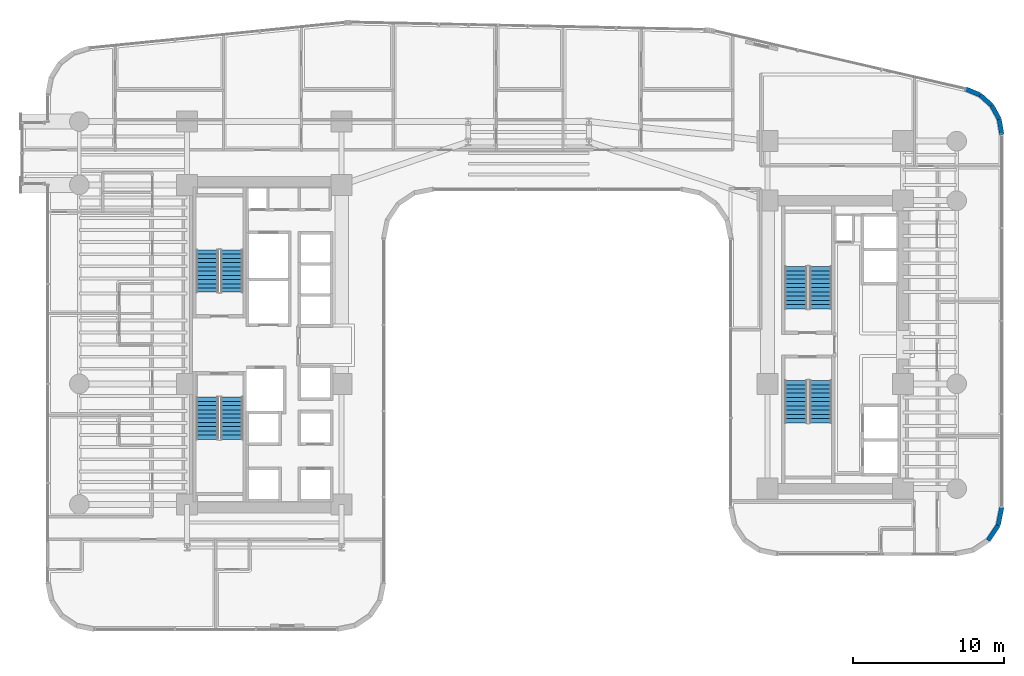
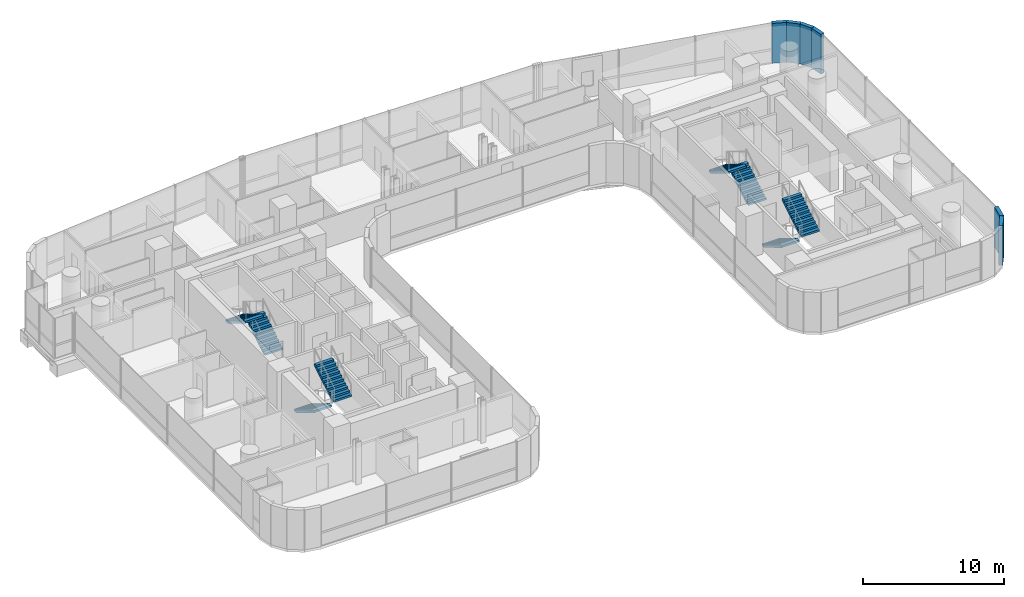
# One storey, part 36 of 42: 8 stair flights, 6 walls, 4 elements without a shape of their own.
"""IFC4 building model written with IfcOpenShell, lengths in metres."""

from ifc_helpers import new_model, si_unit, direction, frame, frame_2d, origin, place, context, subcontext, project, spatial, polyline, rectangle, outline, extrude, material, layer, layer_set, type_object, element, aggregate, save


model = new_model("IFC4")

# Units and contexts
model_context = context("Model", 3, precision=1e-05, world=origin(), true_north=direction((0.0, 1.0)))
body_context = subcontext(model_context, "Body", "Model", "MODEL_VIEW")
ifc_project = project(units=[si_unit("LENGTHUNIT", "METRE"), si_unit("AREAUNIT", "SQUARE_METRE"), si_unit("VOLUMEUNIT", "CUBIC_METRE"), si_unit("PLANEANGLEUNIT", "RADIAN"), si_unit("MASSUNIT", "GRAM", prefix="KILO")], contexts=[model_context])

# Site, building, storey
site_placement = place(None, origin())
site = spatial("IfcSite", under=ifc_project, at=site_placement, CompositionType="ELEMENT")
building_placement = place(site_placement, origin())
building = spatial("IfcBuilding", under=site, at=building_placement, Name="Valdorenza Pilgrim Sanctuary Tower", CompositionType="ELEMENT")
storey_placement = place(building_placement, frame((0.0, 0.0, 55.60009765625)))
storey = spatial("IfcBuildingStorey", under=building, at=storey_placement, Name="L13", CompositionType="ELEMENT", Elevation=55.60009765625)

# Walls
ifc_material_1 = material(Name="Honed travertine limestone", Category="masonry")
ifc_layer = layer(ifc_material_1, 0.300048828125, Name="Honed travertine limestone")
ifc_layer_set = layer_set([ifc_layer], Name="Honed travertine limestone")
wall_type = type_object("IfcWallType", Name="WAL-EXT-300", PredefinedType="SOLIDWALL", material=ifc_layer_set)
wall_1_placement = place(storey_placement, frame((28.98583984375, 16.96728515625, 0.0), z_axis=(0.0, 0.0, 1.0), x_axis=(0.923083852684, -0.384598753136, 0.0)))
element("IfcWall", 1, at=wall_1_placement, inside=storey, type_object=wall_type, Name="L13 Rounded Wind-Corner Stone Pier 17", PredefinedType="SOLIDWALL", context=body_context, shape_type="SweptSolid", body=[
    extrude(rectangle(XDim=1.042236328125, YDim=0.300048828125, at=frame_2d((0.52099609375, 0.0))), origin(), (0.0, 0.0, 1.0), 3.4599609375),
])
wall_2_placement = place(storey_placement, frame((29.947998046875, 16.56640625, 0.0), z_axis=(0.0, 0.0, 1.0), x_axis=(0.744585645533, -0.66752694063, 0.0)))
element("IfcWall", 2, at=wall_2_placement, inside=storey, type_object=wall_type, Name="L13 Rounded Wind-Corner Stone Pier 18", PredefinedType="SOLIDWALL", context=body_context, shape_type="SweptSolid", body=[
    extrude(rectangle(XDim=1.032958984375, YDim=0.300048828125, at=frame_2d((0.5166015625, 0.0))), origin(), (0.0, 0.0, 1.0), 3.4599609375),
])
wall_3_placement = place(storey_placement, frame((30.717041015625, 15.876953125, 0.0), z_axis=(0.0, 0.0, 1.0), x_axis=(0.482971098131, -0.875636293429, 0.0)))
element("IfcWall", 3, at=wall_3_placement, inside=storey, type_object=wall_type, Name="L13 Rounded Wind-Corner Stone Pier 19", PredefinedType="SOLIDWALL", context=body_context, shape_type="SweptSolid", body=[
    extrude(rectangle(XDim=1.03271484375, YDim=0.300048828125, at=frame_2d((0.516357421875, 0.0))), origin(), (0.0, 0.0, 1.0), 3.4599609375),
])
wall_4_placement = place(storey_placement, frame((31.2158203125, 14.97265625, 0.0), z_axis=(0.0, 0.0, 1.0), x_axis=(0.167019462117, -0.985953598946, 0.0)))
element("IfcWall", 4, at=wall_4_placement, inside=storey, type_object=wall_type, Name="L13 Rounded Wind-Corner Stone Pier 20", PredefinedType="SOLIDWALL", context=body_context, shape_type="SweptSolid", body=[
    extrude(rectangle(XDim=1.042236328125, YDim=0.300048828125, at=frame_2d((0.52099609375, 0.0))), origin(), (0.0, 0.0, 1.0), 3.4599609375),
])
wall_5_placement = place(storey_placement, frame((31.389892578125, -10.789306640625, 0.0), z_axis=(0.0, 0.0, 1.0), x_axis=(-0.194996050505, -0.980804027463, 0.0)))
element("IfcWall", 5, at=wall_5_placement, inside=storey, type_object=wall_type, Name="L13 Rounded Wind-Corner Stone Pier 22", PredefinedType="SOLIDWALL", context=body_context, shape_type="SweptSolid", body=[
    extrude(rectangle(XDim=1.2158203125, YDim=0.300048828125, at=frame_2d((0.60791015625, 0.0))), origin(), (0.0, 0.0, 1.0), 3.4599609375),
])
wall_6_placement = place(storey_placement, frame((31.15283203125, -11.981689453125, 0.0), z_axis=(0.0, 0.0, 1.0), x_axis=(-0.555635100982, -0.831426265255, 0.0)))
element("IfcWall", 6, at=wall_6_placement, inside=storey, type_object=wall_type, Name="L13 Rounded Wind-Corner Stone Pier 23", PredefinedType="SOLIDWALL", context=body_context, shape_type="SweptSolid", body=[
    extrude(rectangle(XDim=1.204833984375, YDim=0.300048828125, at=frame_2d((0.6025390625, 0.0))), origin(), (0.0, 0.0, 1.0), 3.4599609375),
])

# Stair, stair flights
ifc_material_2 = material(Name="Concrete C40/50", Category="concrete")
stair_type = type_object("IfcStairType", Name="STR-DOG-CORE", PredefinedType="HALF_TURN_STAIR", material=ifc_material_2)
stair_1_placement = place(storey_placement, origin())
stair_1 = element("IfcStair", 7, at=stair_1_placement, inside=storey, type_object=stair_type, Name="L13 ST-A1", PredefinedType="HALF_TURN_STAIR")
stair_flight_type = type_object("IfcStairFlightType", Name="STF-RC-1400", PredefinedType="STRAIGHT", material=ifc_material_2)
stair_flight_1_placement = place(storey_placement, frame((-19.679931640625, 3.47998046875, 0.0), z_axis=(0.0, 0.0, 1.0), x_axis=(0.0, 1.0, 0.0)))
stair_flight_1 = element("IfcStairFlight", 8, at=stair_flight_1_placement, type_object=stair_flight_type, Name="ST-A1 flight 1", NumberOfRisers=11, NumberOfTreads=10, PredefinedType="STRAIGHT", RiserHeight=0.168181818, TreadLength=0.28, context=body_context, shape_type="SweptSolid", body=[
    extrude(outline(polyline([(0.0, 0.0), (0.0, 0.168212890625), (0.280029296875, 0.168212890625), (0.280029296875, 0.33642578125), (0.56005859375, 0.33642578125), (0.56005859375, 0.504638671875), (0.840087890625, 0.504638671875), (0.840087890625, 0.672607421875), (1.1201171875, 0.672607421875), (1.1201171875, 0.8408203125), (1.39990234375, 0.8408203125), (1.39990234375, 1.009033203125), (1.679931640625, 1.009033203125), (1.679931640625, 1.17724609375), (1.9599609375, 1.17724609375), (1.9599609375, 1.345458984375), (2.239990234375, 1.345458984375), (2.239990234375, 1.513671875), (2.52001953125, 1.513671875), (2.52001953125, 1.681884765625), (2.800048828125, 1.681884765625), (2.800048828125, 1.85009765625), (2.800048828125, 1.5068359375), (0.291015625, 0.0), (0.0, 0.0)])), frame((0.0, 0.739990234375, 0.0), z_axis=(0.0, -1.0, 0.0), x_axis=(1.0, 0.0, 0.0)), (0.0, 0.0, 1.0), 1.47998046875),
])
stair_flight_2_placement = place(storey_placement, frame((-21.31005859375, 6.280029296875, 1.849853515625), z_axis=(0.0, 0.0, 1.0), x_axis=(0.0, -1.0, 0.0)))
stair_flight_2 = element("IfcStairFlight", 9, at=stair_flight_2_placement, type_object=stair_flight_type, Name="ST-A1 flight 2", NumberOfRisers=11, NumberOfTreads=10, PredefinedType="STRAIGHT", RiserHeight=0.168181818, TreadLength=0.28, context=body_context, shape_type="SweptSolid", body=[
    extrude(outline(polyline([(0.0, 0.0), (0.0, 0.168212890625), (0.280029296875, 0.168212890625), (0.280029296875, 0.33642578125), (0.56005859375, 0.33642578125), (0.56005859375, 0.504638671875), (0.840087890625, 0.504638671875), (0.840087890625, 0.672607421875), (1.1201171875, 0.672607421875), (1.1201171875, 0.8408203125), (1.39990234375, 0.8408203125), (1.39990234375, 1.009033203125), (1.679931640625, 1.009033203125), (1.679931640625, 1.17724609375), (1.9599609375, 1.17724609375), (1.9599609375, 1.345458984375), (2.239990234375, 1.345458984375), (2.239990234375, 1.513671875), (2.52001953125, 1.513671875), (2.52001953125, 1.681884765625), (2.800048828125, 1.681884765625), (2.800048828125, 1.85009765625), (2.800048828125, 1.5068359375), (0.291015625, 0.0), (0.0, 0.0)])), frame((0.0, 0.739990234375, 0.0), z_axis=(0.0, -1.0, 0.0), x_axis=(1.0, 0.0, 0.0)), (0.0, 0.0, 1.0), 1.47998046875),
])
aggregate(stair_1, [stair_flight_1, stair_flight_2])

stair_2_placement = place(storey_placement, origin())
stair_2 = element("IfcStair", 10, at=stair_2_placement, inside=storey, type_object=stair_type, Name="L13 ST-A2", PredefinedType="HALF_TURN_STAIR")
stair_flight_3_placement = place(storey_placement, frame((-21.31005859375, -3.47998046875, 0.0), z_axis=(0.0, 0.0, 1.0), x_axis=(0.0, -1.0, 0.0)))
stair_flight_3 = element("IfcStairFlight", 11, at=stair_flight_3_placement, type_object=stair_flight_type, Name="ST-A2 flight 1", NumberOfRisers=11, NumberOfTreads=10, PredefinedType="STRAIGHT", RiserHeight=0.168181818, TreadLength=0.28, context=body_context, shape_type="SweptSolid", body=[
    extrude(outline(polyline([(0.0, 0.0), (0.0, 0.168212890625), (0.280029296875, 0.168212890625), (0.280029296875, 0.33642578125), (0.56005859375, 0.33642578125), (0.56005859375, 0.504638671875), (0.840087890625, 0.504638671875), (0.840087890625, 0.672607421875), (1.1201171875, 0.672607421875), (1.1201171875, 0.8408203125), (1.39990234375, 0.8408203125), (1.39990234375, 1.009033203125), (1.679931640625, 1.009033203125), (1.679931640625, 1.17724609375), (1.9599609375, 1.17724609375), (1.9599609375, 1.345458984375), (2.239990234375, 1.345458984375), (2.239990234375, 1.513671875), (2.52001953125, 1.513671875), (2.52001953125, 1.681884765625), (2.800048828125, 1.681884765625), (2.800048828125, 1.85009765625), (2.800048828125, 1.5068359375), (0.291015625, 0.0), (0.0, 0.0)])), frame((0.0, 0.739990234375, 0.0), z_axis=(0.0, -1.0, 0.0), x_axis=(1.0, 0.0, 0.0)), (0.0, 0.0, 1.0), 1.47998046875),
])
stair_flight_4_placement = place(storey_placement, frame((-19.679931640625, -6.280029296875, 1.849853515625), z_axis=(0.0, 0.0, 1.0), x_axis=(0.0, 1.0, 0.0)))
stair_flight_4 = element("IfcStairFlight", 12, at=stair_flight_4_placement, type_object=stair_flight_type, Name="ST-A2 flight 2", NumberOfRisers=11, NumberOfTreads=10, PredefinedType="STRAIGHT", RiserHeight=0.168181818, TreadLength=0.28, context=body_context, shape_type="SweptSolid", body=[
    extrude(outline(polyline([(0.0, 0.0), (0.0, 0.168212890625), (0.280029296875, 0.168212890625), (0.280029296875, 0.33642578125), (0.56005859375, 0.33642578125), (0.56005859375, 0.504638671875), (0.840087890625, 0.504638671875), (0.840087890625, 0.672607421875), (1.1201171875, 0.672607421875), (1.1201171875, 0.8408203125), (1.39990234375, 0.8408203125), (1.39990234375, 1.009033203125), (1.679931640625, 1.009033203125), (1.679931640625, 1.17724609375), (1.9599609375, 1.17724609375), (1.9599609375, 1.345458984375), (2.239990234375, 1.345458984375), (2.239990234375, 1.513671875), (2.52001953125, 1.513671875), (2.52001953125, 1.681884765625), (2.800048828125, 1.681884765625), (2.800048828125, 1.85009765625), (2.800048828125, 1.5068359375), (0.291015625, 0.0), (0.0, 0.0)])), frame((0.0, 0.739990234375, 0.0), z_axis=(0.0, -1.0, 0.0), x_axis=(1.0, 0.0, 0.0)), (0.0, 0.0, 1.0), 1.47998046875),
])
aggregate(stair_2, [stair_flight_3, stair_flight_4])

stair_3_placement = place(storey_placement, origin())
stair_3 = element("IfcStair", 13, at=stair_3_placement, inside=storey, type_object=stair_type, Name="L13 ST-B1", PredefinedType="HALF_TURN_STAIR")
stair_flight_5_placement = place(storey_placement, frame((19.3701171875, 2.3798828125, 0.0), z_axis=(0.0, 0.0, 1.0), x_axis=(0.0, 1.0, 0.0)))
stair_flight_5 = element("IfcStairFlight", 14, at=stair_flight_5_placement, type_object=stair_flight_type, Name="ST-B1 flight 1", NumberOfRisers=11, NumberOfTreads=10, PredefinedType="STRAIGHT", RiserHeight=0.168181818, TreadLength=0.28, context=body_context, shape_type="SweptSolid", body=[
    extrude(outline(polyline([(0.0, 0.0), (0.0, 0.168212890625), (0.280029296875, 0.168212890625), (0.280029296875, 0.33642578125), (0.56005859375, 0.33642578125), (0.56005859375, 0.504638671875), (0.840087890625, 0.504638671875), (0.840087890625, 0.672607421875), (1.1201171875, 0.672607421875), (1.1201171875, 0.8408203125), (1.39990234375, 0.8408203125), (1.39990234375, 1.009033203125), (1.679931640625, 1.009033203125), (1.679931640625, 1.17724609375), (1.9599609375, 1.17724609375), (1.9599609375, 1.345458984375), (2.239990234375, 1.345458984375), (2.239990234375, 1.513671875), (2.52001953125, 1.513671875), (2.52001953125, 1.681884765625), (2.800048828125, 1.681884765625), (2.800048828125, 1.85009765625), (2.800048828125, 1.5068359375), (0.291015625, 0.0), (0.0, 0.0)])), frame((0.0, 0.739990234375, 0.0), z_axis=(0.0, -1.0, 0.0), x_axis=(1.0, 0.0, 0.0)), (0.0, 0.0, 1.0), 1.47998046875),
])
stair_flight_6_placement = place(storey_placement, frame((17.739990234375, 5.179931640625, 1.849853515625), z_axis=(0.0, 0.0, 1.0), x_axis=(0.0, -1.0, 0.0)))
stair_flight_6 = element("IfcStairFlight", 15, at=stair_flight_6_placement, type_object=stair_flight_type, Name="ST-B1 flight 2", NumberOfRisers=11, NumberOfTreads=10, PredefinedType="STRAIGHT", RiserHeight=0.168181818, TreadLength=0.28, context=body_context, shape_type="SweptSolid", body=[
    extrude(outline(polyline([(0.0, 0.0), (0.0, 0.168212890625), (0.280029296875, 0.168212890625), (0.280029296875, 0.33642578125), (0.56005859375, 0.33642578125), (0.56005859375, 0.504638671875), (0.840087890625, 0.504638671875), (0.840087890625, 0.672607421875), (1.1201171875, 0.672607421875), (1.1201171875, 0.8408203125), (1.39990234375, 0.8408203125), (1.39990234375, 1.009033203125), (1.679931640625, 1.009033203125), (1.679931640625, 1.17724609375), (1.9599609375, 1.17724609375), (1.9599609375, 1.345458984375), (2.239990234375, 1.345458984375), (2.239990234375, 1.513671875), (2.52001953125, 1.513671875), (2.52001953125, 1.681884765625), (2.800048828125, 1.681884765625), (2.800048828125, 1.85009765625), (2.800048828125, 1.5068359375), (0.291015625, 0.0), (0.0, 0.0)])), frame((0.0, 0.739990234375, 0.0), z_axis=(0.0, -1.0, 0.0), x_axis=(1.0, 0.0, 0.0)), (0.0, 0.0, 1.0), 1.47998046875),
])
aggregate(stair_3, [stair_flight_5, stair_flight_6])

stair_4_placement = place(storey_placement, origin())
stair_4 = element("IfcStair", 16, at=stair_4_placement, inside=storey, type_object=stair_type, Name="L13 ST-B2", PredefinedType="HALF_TURN_STAIR")
stair_flight_7_placement = place(storey_placement, frame((17.739990234375, -2.3798828125, 0.0), z_axis=(0.0, 0.0, 1.0), x_axis=(0.0, -1.0, 0.0)))
stair_flight_7 = element("IfcStairFlight", 17, at=stair_flight_7_placement, type_object=stair_flight_type, Name="ST-B2 flight 1", NumberOfRisers=11, NumberOfTreads=10, PredefinedType="STRAIGHT", RiserHeight=0.168181818, TreadLength=0.28, context=body_context, shape_type="SweptSolid", body=[
    extrude(outline(polyline([(0.0, 0.0), (0.0, 0.168212890625), (0.280029296875, 0.168212890625), (0.280029296875, 0.33642578125), (0.56005859375, 0.33642578125), (0.56005859375, 0.504638671875), (0.840087890625, 0.504638671875), (0.840087890625, 0.672607421875), (1.1201171875, 0.672607421875), (1.1201171875, 0.8408203125), (1.39990234375, 0.8408203125), (1.39990234375, 1.009033203125), (1.679931640625, 1.009033203125), (1.679931640625, 1.17724609375), (1.9599609375, 1.17724609375), (1.9599609375, 1.345458984375), (2.239990234375, 1.345458984375), (2.239990234375, 1.513671875), (2.52001953125, 1.513671875), (2.52001953125, 1.681884765625), (2.800048828125, 1.681884765625), (2.800048828125, 1.85009765625), (2.800048828125, 1.5068359375), (0.291015625, 0.0), (0.0, 0.0)])), frame((0.0, 0.739990234375, 0.0), z_axis=(0.0, -1.0, 0.0), x_axis=(1.0, 0.0, 0.0)), (0.0, 0.0, 1.0), 1.47998046875),
])
stair_flight_8_placement = place(storey_placement, frame((19.3701171875, -5.179931640625, 1.849853515625), z_axis=(0.0, 0.0, 1.0), x_axis=(0.0, 1.0, 0.0)))
stair_flight_8 = element("IfcStairFlight", 18, at=stair_flight_8_placement, type_object=stair_flight_type, Name="ST-B2 flight 2", NumberOfRisers=11, NumberOfTreads=10, PredefinedType="STRAIGHT", RiserHeight=0.168181818, TreadLength=0.28, context=body_context, shape_type="SweptSolid", body=[
    extrude(outline(polyline([(0.0, 0.0), (0.0, 0.168212890625), (0.280029296875, 0.168212890625), (0.280029296875, 0.33642578125), (0.56005859375, 0.33642578125), (0.56005859375, 0.504638671875), (0.840087890625, 0.504638671875), (0.840087890625, 0.672607421875), (1.1201171875, 0.672607421875), (1.1201171875, 0.8408203125), (1.39990234375, 0.8408203125), (1.39990234375, 1.009033203125), (1.679931640625, 1.009033203125), (1.679931640625, 1.17724609375), (1.9599609375, 1.17724609375), (1.9599609375, 1.345458984375), (2.239990234375, 1.345458984375), (2.239990234375, 1.513671875), (2.52001953125, 1.513671875), (2.52001953125, 1.681884765625), (2.800048828125, 1.681884765625), (2.800048828125, 1.85009765625), (2.800048828125, 1.5068359375), (0.291015625, 0.0), (0.0, 0.0)])), frame((0.0, 0.739990234375, 0.0), z_axis=(0.0, -1.0, 0.0), x_axis=(1.0, 0.0, 0.0)), (0.0, 0.0, 1.0), 1.47998046875),
])
aggregate(stair_4, [stair_flight_7, stair_flight_8])

save(model, "model.ifc")
